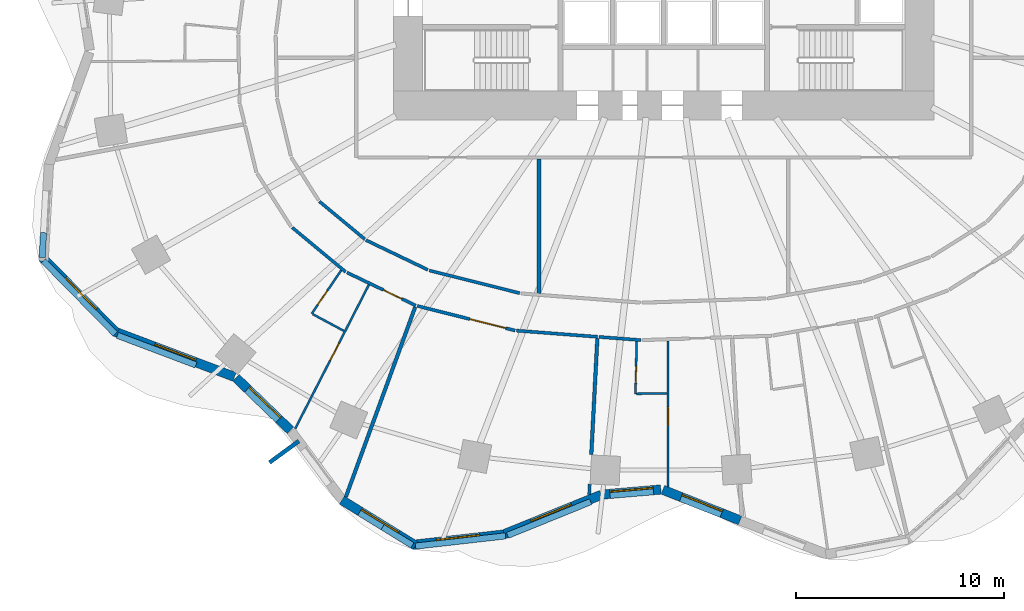
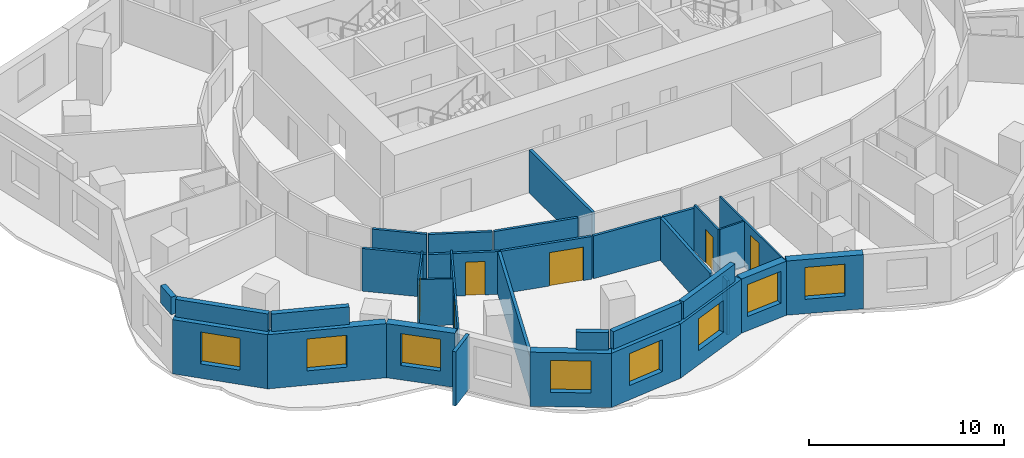
# One storey, part 3 of 11: 33 walls, 8 windows, 6 doors, 14 openings.
"""IFC4 building model written with IfcOpenShell, lengths in metres."""

import ifcopenshell
import ifcopenshell.guid

model = None  # the IFC model being written
_history = None  # IfcOwnerHistory: only IFC2X3 demands one
_inside = {}  # id of a spatial element -> (the spatial element, [elements in it])
_under = {}  # id of a project, library or spatial element -> (it, [spatial elements below it])
_declared = {}  # id of a project -> (the project, [libraries it declares])
_typed = {}  # id of a type object -> (the type object, [elements of that type])
_made_of = {}  # id of a material, layer set ... -> (it, [elements and type objects made of it])


def new_model(schema):
    """Start an empty IFC model of exactly this schema.

    Asked for "IFC4X3", IfcOpenShell would pick the latest addendum, in which some entities
    have other attributes; the version numbers below select the first issue.
    IFC2X3 requires an IfcOwnerHistory on every rooted entity: one is made here for all.
    """
    global model, _history
    if schema == "IFC4X3":
        model = ifcopenshell.file(schema_version=(4, 3, 0, 0))
    else:
        model = ifcopenshell.file(schema=schema)
    _inside.clear()
    _under.clear()
    _declared.clear()
    _typed.clear()
    _made_of.clear()
    _history = None
    if model.schema == "IFC2X3":
        org = make("IfcOrganization", Name="unknown")
        user = make(
            "IfcPersonAndOrganization",
            ThePerson=make("IfcPerson", FamilyName="unknown"),
            TheOrganization=org,
        )
        app = make(
            "IfcApplication",
            ApplicationDeveloper=org,
            Version="unknown",
            ApplicationFullName="unknown",
            ApplicationIdentifier="unknown",
        )
        _history = make(
            "IfcOwnerHistory",
            OwningUser=user,
            OwningApplication=app,
            ChangeAction="ADDED",
            CreationDate=0,
        )
    return model


def make(cls, **values):
    """One entity of the class cls with the attributes given. An attribute that is None is left unset."""
    return model.create_entity(
        cls, **{name: value for name, value in values.items() if value is not None}
    )


def rooted(cls, **values):
    """An entity with a GlobalId (a new one), such as an element, a storey or a relation."""
    return make(cls, GlobalId=ifcopenshell.guid.new(), OwnerHistory=_history, **values)


def si_unit(unit_type, name, prefix=None):
    """IfcSIUnit, for example si_unit("LENGTHUNIT", "METRE", prefix="MILLI")."""
    return make("IfcSIUnit", UnitType=unit_type, Prefix=prefix, Name=name)


def assignment(units):
    """IfcUnitAssignment: the units of a project."""
    return None if units is None else make("IfcUnitAssignment", Units=units)


def point(xyz):
    """IfcCartesianPoint."""
    return None if xyz is None else make("IfcCartesianPoint", Coordinates=xyz)


def direction(xyz):
    """IfcDirection."""
    return None if xyz is None else make("IfcDirection", DirectionRatios=xyz)


def frame(location, z_axis=None, x_axis=None):
    """IfcAxis2Placement3D, a coordinate frame: its origin and axes. An axis left out is left unset."""
    return make(
        "IfcAxis2Placement3D",
        Location=point(location),
        Axis=direction(z_axis),
        RefDirection=direction(x_axis),
    )


def frame_2d(location, x_axis=None):
    """IfcAxis2Placement2D, a coordinate frame in the plane: its origin and x axis."""
    return make(
        "IfcAxis2Placement2D", Location=point(location), RefDirection=direction(x_axis)
    )


def origin():
    """The frame at (0, 0, 0) with its axes left unset."""
    return frame((0.0, 0.0, 0.0))


def place(relative_to, where):
    """IfcLocalPlacement: puts the frame where relative to a parent placement (None: the world)."""
    return make(
        "IfcLocalPlacement", PlacementRelTo=relative_to, RelativePlacement=where
    )


def context(
    kind, dimensions, precision=None, world=None, true_north=None, identifier=None
):
    """IfcGeometricRepresentationContext, for example the 3D "Model" context."""
    return make(
        "IfcGeometricRepresentationContext",
        ContextIdentifier=identifier,
        ContextType=kind,
        CoordinateSpaceDimension=dimensions,
        Precision=precision,
        WorldCoordinateSystem=world,
        TrueNorth=true_north,
    )


def subcontext(parent, identifier, kind, view, scale=None):
    """IfcGeometricRepresentationSubContext, for example "Body" below "Model"."""
    return make(
        "IfcGeometricRepresentationSubContext",
        ContextIdentifier=identifier,
        ContextType=kind,
        ParentContext=parent,
        TargetScale=scale,
        TargetView=view,
    )


def project(units=None, contexts=None):
    """IfcProject with its units and contexts."""
    return rooted(
        "IfcProject",
        Name="project",
        RepresentationContexts=contexts,
        UnitsInContext=assignment(units),
    )


def spatial(cls, under=None, at=None, **own):
    """A site, building, storey or space (cls), placed at a placement, below another one or the project."""
    s = rooted(cls, ObjectPlacement=at, **own)
    if under is not None:
        _under.setdefault(under.id(), (under, []))[1].append(s)
    return s


def profile(cls, at=None, kind="AREA", **sizes):
    """A parametric profile (cls). Its sizes go by their IFC names, for example OverallWidth=200.0."""
    return make(cls, ProfileType=kind, Position=at, **sizes)


def rectangle(**sizes):
    """IfcRectangleProfileDef."""
    return profile("IfcRectangleProfileDef", **sizes)


def extrude(swept, where, along, depth):
    """IfcExtrudedAreaSolid: the profile swept, set in the frame where, extruded along a direction by depth."""
    return make(
        "IfcExtrudedAreaSolid",
        SweptArea=swept,
        Position=where,
        ExtrudedDirection=direction(along),
        Depth=depth,
    )


def shape(context_of_items, identifier, shape_type, items):
    """IfcShapeRepresentation: the items that make up one representation, for example the "Body"."""
    return make(
        "IfcShapeRepresentation",
        ContextOfItems=context_of_items,
        RepresentationIdentifier=identifier,
        RepresentationType=shape_type,
        Items=items,
    )


def material(Name=None, Category=None):
    """IfcMaterial."""
    return make("IfcMaterial", Name=Name, Category=Category)


def layer(
    of_material, thickness, ventilated=None, Name=None, Category=None, Priority=None
):
    """IfcMaterialLayer: one layer of a wall or slab, of a material (None: an air gap)."""
    return make(
        "IfcMaterialLayer",
        Material=of_material,
        LayerThickness=thickness,
        IsVentilated=ventilated,
        Name=Name,
        Category=Category,
        Priority=Priority,
    )


def layer_set(layers, Name=None):
    """IfcMaterialLayerSet."""
    return make("IfcMaterialLayerSet", MaterialLayers=layers, LayerSetName=Name)


def made_of(thing, what):
    """Note that an element or type object is made of a material, layer set ...; save() writes the relation."""
    if what is not None:
        _made_of.setdefault(what.id(), (what, []))[1].append(thing)
    return thing


def type_object(cls, material=None, **own):
    """A type object (cls), such as IfcWallType, which elements share."""
    return made_of(rooted(cls, **own), material)


def element(
    cls,
    number,
    at=None,
    inside=None,
    cuts=None,
    type_object=None,
    material=None,
    context=None,
    identifier="Body",
    shape_type=None,
    held_by="IfcProductDefinitionShape",
    body=None,
    shapes=None,
    **own,
):
    """One element of the class cls, such as IfcWall. Its Tag is "e" and its number.

    at: its placement. inside: the storey or other place that contains it. cuts: it is an
    opening in that element (IfcRelVoidsElement). A single representation is given by context,
    identifier, shape_type and body (its items); several are given by shapes. held_by: the class
    of the entity that holds the representations. save() writes the other relations.
    """
    e = rooted(cls, Tag="e%d" % number, ObjectPlacement=at, **own)
    if body is not None:
        shapes = [shape(context, identifier, shape_type, body)]
    if shapes is not None:
        e.Representation = make(held_by, Representations=shapes)
    if inside is not None:
        _inside.setdefault(inside.id(), (inside, []))[1].append(e)
    if cuts is not None:
        rooted(
            "IfcRelVoidsElement", RelatingBuildingElement=cuts, RelatedOpeningElement=e
        )
    if type_object is not None:
        _typed.setdefault(type_object.id(), (type_object, []))[1].append(e)
    return made_of(e, material)


def fill(opening, filler):
    """IfcRelFillsElement: the door or window that sits in an opening."""
    return rooted(
        "IfcRelFillsElement",
        RelatingOpeningElement=opening,
        RelatedBuildingElement=filler,
    )


def aggregate(whole, parts):
    """IfcRelAggregates: a whole, such as a stair, and the parts it consists of."""
    return rooted("IfcRelAggregates", RelatingObject=whole, RelatedObjects=parts)


def save(model, path):
    """Write the relations noted so far, then the file.

    IfcRelAggregates (storeys below a building ...), IfcRelContainedInSpatialStructure (elements
    in a storey), IfcRelDefinesByType, IfcRelAssociatesMaterial and IfcRelDeclares: one each for
    every whole, place, type object, material and project.
    """
    for whole, parts in _under.values():
        aggregate(whole, parts)
    for where, things in _inside.values():
        rooted(
            "IfcRelContainedInSpatialStructure",
            RelatedElements=things,
            RelatingStructure=where,
        )
    for kind, things in _typed.values():
        rooted("IfcRelDefinesByType", RelatedObjects=things, RelatingType=kind)
    for what, things in _made_of.values():
        rooted("IfcRelAssociatesMaterial", RelatedObjects=things, RelatingMaterial=what)
    for by, libraries in _declared.values():
        rooted("IfcRelDeclares", RelatingContext=by, RelatedDefinitions=libraries)
    model.write(path)


model = new_model("IFC4")

# Units and contexts
model_context = context("Model", 3, precision=1e-05, world=origin(), true_north=direction((0.0, 1.0)))
body_context = subcontext(model_context, "Body", "Model", "MODEL_VIEW")
ifc_project = project(units=[si_unit("LENGTHUNIT", "METRE"), si_unit("AREAUNIT", "SQUARE_METRE"), si_unit("VOLUMEUNIT", "CUBIC_METRE"), si_unit("PLANEANGLEUNIT", "RADIAN"), si_unit("MASSUNIT", "GRAM", prefix="KILO")], contexts=[model_context])

# Site, building, storey
site_placement = place(None, origin())
site = spatial("IfcSite", under=ifc_project, at=site_placement, CompositionType="ELEMENT")
building_placement = place(site_placement, origin())
building = spatial("IfcBuilding", under=site, at=building_placement, Name="Rubra Terraces Tower", CompositionType="ELEMENT")
storey_placement = place(building_placement, frame((0.0, 0.0, 69.89990234375)))
storey = spatial("IfcBuildingStorey", under=building, at=storey_placement, Name="L15", CompositionType="ELEMENT", Elevation=69.89990234375)

# Walls
ifc_material_1 = material(Name="Twin plasterboard on staggered steel stud, acoustic mineral wool", Category="steel")
ifc_layer_1 = layer(ifc_material_1, 0.175048828125)
ifc_layer_set_1 = layer_set([ifc_layer_1], Name="Twin plasterboard on staggered steel stud, acoustic mineral wool")
wall_type_1 = type_object("IfcWallType", Name="ACOUSTIC PARTY WALL 175", PredefinedType="PARTITIONING", material=ifc_layer_set_1)
wall_1_placement = place(storey_placement, frame((-15.298583984375, -21.142822265625, 0.0), z_axis=(0.0, 0.0, 1.0), x_axis=(0.343019355323, 0.9393283355, 0.0)))
element("IfcWall", 1, at=wall_1_placement, inside=storey, type_object=wall_type_1, Name="PARTITION", PredefinedType="PARTITIONING", context=body_context, shape_type="SweptSolid", body=[
    extrude(rectangle(XDim=9.735107421875, YDim=0.175048828125, at=frame_2d((4.86767578125, 0.0))), origin(), (0.0, 0.0, 1.0), 2.68017578125),
])
wall_2_placement = place(storey_placement, frame((-3.486083984375, -19.10302734375, 0.0), z_axis=(0.0, 0.0, 1.0), x_axis=(0.052128748495, 0.998640372497, 0.0)))
element("IfcWall", 2, at=wall_2_placement, inside=storey, type_object=wall_type_1, Name="PARTITION", PredefinedType="PARTITIONING", context=body_context, shape_type="SweptSolid", body=[
    extrude(rectangle(XDim=5.601318359375, YDim=0.175048828125, at=frame_2d((2.80078125, 0.0))), origin(), (0.0, 0.0, 1.0), 2.68017578125),
])
wall_3_placement = place(storey_placement, frame((-6.0, -11.339599609375, 0.0), z_axis=(0.0, 0.0, 1.0), x_axis=(0.0, 1.0, 0.0)))
element("IfcWall", 3, at=wall_3_placement, inside=storey, type_object=wall_type_1, Name="PARTITION", PredefinedType="PARTITIONING", context=body_context, shape_type="SweptSolid", body=[
    extrude(rectangle(XDim=6.464599609375, YDim=0.175048828125, at=frame_2d((3.232421875, 0.0))), origin(), (0.0, 0.0, 1.0), 2.68017578125),
])

# Wall, opening, window
ifc_material_2 = material(Name="Brick masonry red-brown", Category="masonry")
ifc_layer_2 = layer(ifc_material_2, 0.449951171875)
ifc_layer_set_2 = layer_set([ifc_layer_2], Name="Brick masonry red-brown")
wall_type_2 = type_object("IfcWallType", Name="Brick facade wall 450", PredefinedType="SOLIDWALL", material=ifc_layer_set_2)
wall_4_placement = place(storey_placement, frame((-29.909423828125, -9.6123046875, 0.0), z_axis=(0.0, 0.0, 1.0), x_axis=(0.700902433902, -0.713257161303, 0.0)))
wall_4 = element("IfcWall", 4, at=wall_4_placement, inside=storey, type_object=wall_type_2, Name="Facade wall L15 bay 23", PredefinedType="SOLIDWALL", context=body_context, shape_type="SweptSolid", body=[
    extrude(rectangle(XDim=5.07861328125, YDim=0.449951171875, at=frame_2d((2.539306640625, 0.0))), origin(), (0.0, 0.0, 1.0), 3.400146484375),
])
opening_1_placement = place(wall_4_placement, frame((1.4892578125, 0.0, 0.89990234375)))
opening_1 = element("IfcOpeningElement", 5, at=opening_1_placement, cuts=wall_4, Name="Opening W1", PredefinedType="OPENING", context=body_context, shape_type="SweptSolid", body=[
    extrude(rectangle(XDim=2.10009765625, YDim=2.0, at=frame_2d((1.050048828125, 1.0))), frame((0.0, 0.23486328125, 0.0), z_axis=(0.0, -1.0, 0.0), x_axis=(1.0, 0.0, 0.0)), (0.0, 0.0, 1.0), 0.469970703125),
])
ifc_material_3 = material(Name="Clear glass in aluminium frame", Category="aluminium")
window_type = type_object("IfcWindowType", Name="Fixed deep-set window 2100 x 2000", PartitioningType="SINGLE_PANEL", PredefinedType="WINDOW", material=ifc_material_3)
window_1_placement = place(opening_1_placement, origin())
window_1 = element("IfcWindow", 6, at=window_1_placement, inside=storey, type_object=window_type, Name="Window L15 bay 23", OverallHeight=2.0, OverallWidth=2.10009765625, PartitioningType="SINGLE_PANEL", PredefinedType="WINDOW", context=body_context, shape_type="SweptSolid", body=[
    extrude(rectangle(XDim=2.10009765625, YDim=2.0, at=frame_2d((1.050048828125, 1.0))), frame((0.0, 0.135009765625, 0.0), z_axis=(0.0, -1.0, 0.0), x_axis=(1.0, 0.0, 0.0)), (0.0, 0.0, 1.0), 0.06005859375),
])
fill(opening_1, window_1)

wall_5_placement = place(storey_placement, frame((-26.430908203125, -13.181884765625, 0.0), z_axis=(0.0, 0.0, 1.0), x_axis=(0.935540074321, -0.35322056755, 0.0)))
wall_5 = element("IfcWall", 7, at=wall_5_placement, inside=storey, type_object=wall_type_2, Name="Facade wall L15 bay 24", PredefinedType="SOLIDWALL", context=body_context, shape_type="SweptSolid", body=[
    extrude(rectangle(XDim=6.17236328125, YDim=0.449951171875, at=frame_2d((3.086181640625, 0.0))), origin(), (0.0, 0.0, 1.0), 3.400146484375),
])
opening_2_placement = place(wall_5_placement, frame((2.0361328125, 0.0, 0.89990234375)))
opening_2 = element("IfcOpeningElement", 8, at=opening_2_placement, cuts=wall_5, Name="Opening W1", PredefinedType="OPENING", context=body_context, shape_type="SweptSolid", body=[
    extrude(rectangle(XDim=2.10009765625, YDim=2.0, at=frame_2d((1.050048828125, 1.0))), frame((0.0, 0.23486328125, 0.0), z_axis=(0.0, -1.0, 0.0), x_axis=(1.0, 0.0, 0.0)), (0.0, 0.0, 1.0), 0.469970703125),
])
window_2_placement = place(opening_2_placement, origin())
window_2 = element("IfcWindow", 9, at=window_2_placement, inside=storey, type_object=window_type, Name="Window L15 bay 24", OverallHeight=2.0, OverallWidth=2.10009765625, PartitioningType="SINGLE_PANEL", PredefinedType="WINDOW", context=body_context, shape_type="SweptSolid", body=[
    extrude(rectangle(XDim=2.10009765625, YDim=2.0, at=frame_2d((1.050048828125, 1.0))), frame((0.0, 0.135009765625, 0.0), z_axis=(0.0, -1.0, 0.0), x_axis=(1.0, 0.0, 0.0)), (0.0, 0.0, 1.0), 0.06005859375),
])
fill(opening_2, window_2)

wall_6_placement = place(storey_placement, frame((-20.585205078125, -15.40576171875, 0.0), z_axis=(0.0, 0.0, 1.0), x_axis=(0.719978118026, -0.693996764808, 0.0)))
wall_6 = element("IfcWall", 10, at=wall_6_placement, inside=storey, type_object=wall_type_2, Name="Facade wall L15 bay 25", PredefinedType="SOLIDWALL", context=body_context, shape_type="SweptSolid", body=[
    extrude(rectangle(XDim=3.64599609375, YDim=0.449951171875, at=frame_2d((1.822998046875, 0.0))), origin(), (0.0, 0.0, 1.0), 3.400146484375),
])
opening_3_placement = place(wall_6_placement, frame((0.77294921875, 0.0, 0.89990234375)))
opening_3 = element("IfcOpeningElement", 11, at=opening_3_placement, cuts=wall_6, Name="Opening W1", PredefinedType="OPENING", context=body_context, shape_type="SweptSolid", body=[
    extrude(rectangle(XDim=2.10009765625, YDim=2.0, at=frame_2d((1.050048828125, 1.0))), frame((0.0, 0.23486328125, 0.0), z_axis=(0.0, -1.0, 0.0), x_axis=(1.0, 0.0, 0.0)), (0.0, 0.0, 1.0), 0.469970703125),
])
window_3_placement = place(opening_3_placement, origin())
window_3 = element("IfcWindow", 12, at=window_3_placement, inside=storey, type_object=window_type, Name="Window L15 bay 25", OverallHeight=2.0, OverallWidth=2.10009765625, PartitioningType="SINGLE_PANEL", PredefinedType="WINDOW", context=body_context, shape_type="SweptSolid", body=[
    extrude(rectangle(XDim=2.10009765625, YDim=2.0, at=frame_2d((1.050048828125, 1.0))), frame((0.0, 0.135009765625, 0.0), z_axis=(0.0, -1.0, 0.0), x_axis=(1.0, 0.0, 0.0)), (0.0, 0.0, 1.0), 0.06005859375),
])
fill(opening_3, window_3)

wall_7_placement = place(storey_placement, frame((-15.491943359375, -21.29345703125, 0.0), z_axis=(0.0, 0.0, 1.0), x_axis=(0.851428967753, -0.524469935145, 0.0)))
wall_7 = element("IfcWall", 13, at=wall_7_placement, inside=storey, type_object=wall_type_2, Name="Facade wall L15 bay 27", PredefinedType="SOLIDWALL", context=body_context, shape_type="SweptSolid", body=[
    extrude(rectangle(XDim=4.16796875, YDim=0.449951171875, at=frame_2d((2.083984375, 0.0))), origin(), (0.0, 0.0, 1.0), 3.400146484375),
])
opening_4_placement = place(wall_7_placement, frame((1.0341796875, 0.0, 0.89990234375)))
opening_4 = element("IfcOpeningElement", 14, at=opening_4_placement, cuts=wall_7, Name="Opening W1", PredefinedType="OPENING", context=body_context, shape_type="SweptSolid", body=[
    extrude(rectangle(XDim=2.10009765625, YDim=2.0, at=frame_2d((1.050048828125, 1.0))), frame((0.0, 0.23486328125, 0.0), z_axis=(0.0, -1.0, 0.0), x_axis=(1.0, 0.0, 0.0)), (0.0, 0.0, 1.0), 0.469970703125),
])
window_4_placement = place(opening_4_placement, origin())
window_4 = element("IfcWindow", 15, at=window_4_placement, inside=storey, type_object=window_type, Name="Window L15 bay 27", OverallHeight=2.0, OverallWidth=2.10009765625, PartitioningType="SINGLE_PANEL", PredefinedType="WINDOW", context=body_context, shape_type="SweptSolid", body=[
    extrude(rectangle(XDim=2.10009765625, YDim=2.0, at=frame_2d((1.050048828125, 1.0))), frame((0.0, 0.135009765625, 0.0), z_axis=(0.0, -1.0, 0.0), x_axis=(1.0, 0.0, 0.0)), (0.0, 0.0, 1.0), 0.06005859375),
])
fill(opening_4, window_4)

wall_8_placement = place(storey_placement, frame((-12.08642578125, -23.447509765625, 0.0), z_axis=(0.0, 0.0, 1.0), x_axis=(0.993615664665, 0.112818043472, 0.0)))
wall_8 = element("IfcWall", 16, at=wall_8_placement, inside=storey, type_object=wall_type_2, Name="Facade wall L15 bay 28", PredefinedType="SOLIDWALL", context=body_context, shape_type="SweptSolid", body=[
    extrude(rectangle(XDim=4.42333984375, YDim=0.449951171875, at=frame_2d((2.211669921875, 0.0))), origin(), (0.0, 0.0, 1.0), 3.400146484375),
])
opening_5_placement = place(wall_8_placement, frame((1.16162109375, 0.0, 0.89990234375)))
opening_5 = element("IfcOpeningElement", 17, at=opening_5_placement, cuts=wall_8, Name="Opening W1", PredefinedType="OPENING", context=body_context, shape_type="SweptSolid", body=[
    extrude(rectangle(XDim=2.10009765625, YDim=2.0, at=frame_2d((1.050048828125, 1.0))), frame((0.0, 0.23486328125, 0.0), z_axis=(0.0, -1.0, 0.0), x_axis=(1.0, 0.0, 0.0)), (0.0, 0.0, 1.0), 0.469970703125),
])
window_5_placement = place(opening_5_placement, origin())
window_5 = element("IfcWindow", 18, at=window_5_placement, inside=storey, type_object=window_type, Name="Window L15 bay 28", OverallHeight=2.0, OverallWidth=2.10009765625, PartitioningType="SINGLE_PANEL", PredefinedType="WINDOW", context=body_context, shape_type="SweptSolid", body=[
    extrude(rectangle(XDim=2.10009765625, YDim=2.0, at=frame_2d((1.050048828125, 1.0))), frame((0.0, 0.135009765625, 0.0), z_axis=(0.0, -1.0, 0.0), x_axis=(1.0, 0.0, 0.0)), (0.0, 0.0, 1.0), 0.06005859375),
])
fill(opening_5, window_5)

wall_9_placement = place(storey_placement, frame((-7.75048828125, -22.963623046875, 0.0), z_axis=(0.0, 0.0, 1.0), x_axis=(0.926629703254, 0.375975255897, 0.0)))
wall_9 = element("IfcWall", 19, at=wall_9_placement, inside=storey, type_object=wall_type_2, Name="Facade wall L15 bay 29", PredefinedType="SOLIDWALL", context=body_context, shape_type="SweptSolid", body=[
    extrude(rectangle(XDim=5.1181640625, YDim=0.449951171875, at=frame_2d((2.55908203125, 0.0))), origin(), (0.0, 0.0, 1.0), 3.400146484375),
])
opening_6_placement = place(wall_9_placement, frame((1.50927734375, 0.0, 0.89990234375)))
opening_6 = element("IfcOpeningElement", 20, at=opening_6_placement, cuts=wall_9, Name="Opening W1", PredefinedType="OPENING", context=body_context, shape_type="SweptSolid", body=[
    extrude(rectangle(XDim=2.10009765625, YDim=2.0, at=frame_2d((1.050048828125, 1.0))), frame((0.0, 0.23486328125, 0.0), z_axis=(0.0, -1.0, 0.0), x_axis=(1.0, 0.0, 0.0)), (0.0, 0.0, 1.0), 0.469970703125),
])
window_6_placement = place(opening_6_placement, origin())
window_6 = element("IfcWindow", 21, at=window_6_placement, inside=storey, type_object=window_type, Name="Window L15 bay 29", OverallHeight=2.0, OverallWidth=2.10009765625, PartitioningType="SINGLE_PANEL", PredefinedType="WINDOW", context=body_context, shape_type="SweptSolid", body=[
    extrude(rectangle(XDim=2.10009765625, YDim=2.0, at=frame_2d((1.050048828125, 1.0))), frame((0.0, 0.135009765625, 0.0), z_axis=(0.0, -1.0, 0.0), x_axis=(1.0, 0.0, 0.0)), (0.0, 0.0, 1.0), 0.06005859375),
])
fill(opening_6, window_6)

wall_10_placement = place(storey_placement, frame((-2.942138671875, -21.023681640625, 0.0), z_axis=(0.0, 0.0, 1.0), x_axis=(0.996362034459, 0.085221454389, 0.0)))
wall_10 = element("IfcWall", 22, at=wall_10_placement, inside=storey, type_object=wall_type_2, Name="Facade wall L15 bay 30", PredefinedType="SOLIDWALL", context=body_context, shape_type="SweptSolid", body=[
    extrude(rectangle(XDim=2.813232421875, YDim=0.449951171875, at=frame_2d((1.40673828125, 0.0))), origin(), (0.0, 0.0, 1.0), 3.400146484375),
])
opening_7_placement = place(wall_10_placement, frame((0.356689453125, 0.0, 0.89990234375)))
opening_7 = element("IfcOpeningElement", 23, at=opening_7_placement, cuts=wall_10, Name="Opening W1", PredefinedType="OPENING", context=body_context, shape_type="SweptSolid", body=[
    extrude(rectangle(XDim=2.10009765625, YDim=2.0, at=frame_2d((1.050048828125, 1.0))), frame((0.0, 0.23486328125, 0.0), z_axis=(0.0, -1.0, 0.0), x_axis=(1.0, 0.0, 0.0)), (0.0, 0.0, 1.0), 0.469970703125),
])
window_7_placement = place(opening_7_placement, origin())
window_7 = element("IfcWindow", 24, at=window_7_placement, inside=storey, type_object=window_type, Name="Window L15 bay 30", OverallHeight=2.0, OverallWidth=2.10009765625, PartitioningType="SINGLE_PANEL", PredefinedType="WINDOW", context=body_context, shape_type="SweptSolid", body=[
    extrude(rectangle(XDim=2.10009765625, YDim=2.0, at=frame_2d((1.050048828125, 1.0))), frame((0.0, 0.135009765625, 0.0), z_axis=(0.0, -1.0, 0.0), x_axis=(1.0, 0.0, 0.0)), (0.0, 0.0, 1.0), 0.06005859375),
])
fill(opening_7, window_7)

wall_11_placement = place(storey_placement, frame((-0.04052734375, -20.797607421875, 0.0), z_axis=(0.0, 0.0, 1.0), x_axis=(0.929539262027, -0.368723148649, 0.0)))
wall_11 = element("IfcWall", 25, at=wall_11_placement, inside=storey, type_object=wall_type_2, Name="Facade wall L15 bay 31", PredefinedType="SOLIDWALL", context=body_context, shape_type="SweptSolid", body=[
    extrude(rectangle(XDim=3.99462890625, YDim=0.449951171875, at=frame_2d((1.997314453125, 0.0))), origin(), (0.0, 0.0, 1.0), 3.400146484375),
])
opening_8_placement = place(wall_11_placement, frame((0.947265625, 0.0, 0.89990234375)))
opening_8 = element("IfcOpeningElement", 26, at=opening_8_placement, cuts=wall_11, Name="Opening W1", PredefinedType="OPENING", context=body_context, shape_type="SweptSolid", body=[
    extrude(rectangle(XDim=2.10009765625, YDim=2.0, at=frame_2d((1.050048828125, 1.0))), frame((0.0, 0.23486328125, 0.0), z_axis=(0.0, -1.0, 0.0), x_axis=(1.0, 0.0, 0.0)), (0.0, 0.0, 1.0), 0.469970703125),
])
window_8_placement = place(opening_8_placement, origin())
window_8 = element("IfcWindow", 27, at=window_8_placement, inside=storey, type_object=window_type, Name="Window L15 bay 31", OverallHeight=2.0, OverallWidth=2.10009765625, PartitioningType="SINGLE_PANEL", PredefinedType="WINDOW", context=body_context, shape_type="SweptSolid", body=[
    extrude(rectangle(XDim=2.10009765625, YDim=2.0, at=frame_2d((1.050048828125, 1.0))), frame((0.0, 0.135009765625, 0.0), z_axis=(0.0, -1.0, 0.0), x_axis=(1.0, 0.0, 0.0)), (0.0, 0.0, 1.0), 0.06005859375),
])
fill(opening_8, window_8)

# Walls
ifc_layer_3 = layer(ifc_material_2, 0.300048828125)
ifc_layer_set_3 = layer_set([ifc_layer_3], Name="Brick masonry red-brown")
wall_type_3 = type_object("IfcWallType", Name="Brick parapet 300", PredefinedType="PARAPET", material=ifc_layer_set_3)
wall_12_placement = place(storey_placement, frame((-29.845947265625, -8.422119140625, 3.60009765625), z_axis=(0.0, 0.0, 1.0), x_axis=(-0.054723601839, -0.998501541011, 0.0)))
element("IfcWall", 28, at=wall_12_placement, inside=storey, type_object=wall_type_3, Name="Parapet L15 bay 22", PredefinedType="PARAPET", context=body_context, shape_type="SweptSolid", body=[
    extrude(rectangle(XDim=1.195556640625, YDim=0.300048828125, at=frame_2d((0.59765625, 0.0))), origin(), (0.0, 0.0, 1.0), 1.10009765625),
])
wall_13_placement = place(storey_placement, frame((-29.84912109375, -9.78076171875, 3.60009765625), z_axis=(0.0, 0.0, 1.0), x_axis=(0.700911537772, -0.713248215012, 0.0)))
element("IfcWall", 29, at=wall_13_placement, inside=storey, type_object=wall_type_3, Name="Parapet L15 bay 23", PredefinedType="PARAPET", context=body_context, shape_type="SweptSolid", body=[
    extrude(rectangle(XDim=4.927734375, YDim=0.300048828125, at=frame_2d((2.4638671875, 0.0))), origin(), (0.0, 0.0, 1.0), 1.10009765625),
])
wall_14_placement = place(storey_placement, frame((-26.292236328125, -13.362548828125, 3.60009765625), z_axis=(0.0, 0.0, 1.0), x_axis=(0.93551777481, -0.353279624397, 0.0)))
element("IfcWall", 30, at=wall_14_placement, inside=storey, type_object=wall_type_3, Name="Parapet L15 bay 24", PredefinedType="PARAPET", context=body_context, shape_type="SweptSolid", body=[
    extrude(rectangle(XDim=4.04345703125, YDim=0.300048828125, at=frame_2d((2.021728515625, 0.0))), origin(), (0.0, 0.0, 1.0), 1.10009765625),
])
wall_15_placement = place(storey_placement, frame((-13.52978515625, -22.590087890625, 3.60009765625), z_axis=(0.0, 0.0, 1.0), x_axis=(0.851434206084, -0.524461431098, 0.0)))
element("IfcWall", 31, at=wall_15_placement, inside=storey, type_object=wall_type_3, Name="Parapet L15 bay 27", PredefinedType="PARAPET", context=body_context, shape_type="SweptSolid", body=[
    extrude(rectangle(XDim=1.683837890625, YDim=0.300048828125, at=frame_2d((0.841796875, 0.0))), origin(), (0.0, 0.0, 1.0), 1.10009765625),
])
wall_16_placement = place(storey_placement, frame((-11.9453125, -23.5068359375, 3.60009765625), z_axis=(0.0, 0.0, 1.0), x_axis=(0.993618806168, 0.11279037206, 0.0)))
element("IfcWall", 32, at=wall_16_placement, inside=storey, type_object=wall_type_3, Name="Parapet L15 bay 28", PredefinedType="PARAPET", context=body_context, shape_type="SweptSolid", body=[
    extrude(rectangle(XDim=4.361572265625, YDim=0.300048828125, at=frame_2d((2.1806640625, 0.0))), origin(), (0.0, 0.0, 1.0), 1.10009765625),
])
wall_17_placement = place(storey_placement, frame((-7.514404296875, -22.990234375, 3.60009765625), z_axis=(0.0, 0.0, 1.0), x_axis=(0.926627413994, 0.375980897966, 0.0)))
element("IfcWall", 33, at=wall_17_placement, inside=storey, type_object=wall_type_3, Name="Parapet L15 bay 29", PredefinedType="PARAPET", context=body_context, shape_type="SweptSolid", body=[
    extrude(rectangle(XDim=4.31494140625, YDim=0.300048828125, at=frame_2d((2.157470703125, 0.0))), origin(), (0.0, 0.0, 1.0), 1.10009765625),
])
ifc_layer_4 = layer(ifc_material_2, 0.199951171875)
ifc_layer_set_4 = layer_set([ifc_layer_4], Name="Brick masonry red-brown")
wall_type_4 = type_object("IfcWallType", Name="Brick wind fin 200", PredefinedType="SOLIDWALL", material=ifc_layer_set_4)
wall_18_placement = place(storey_placement, frame((-17.56005859375, -18.449951171875, 0.0), z_axis=(0.0, 0.0, 1.0), x_axis=(-0.807091943364, -0.590425774299, 0.0)))
element("IfcWall", 34, at=wall_18_placement, inside=storey, type_object=wall_type_4, Name="Wind fin L15 16", PredefinedType="SOLIDWALL", context=body_context, shape_type="SweptSolid", body=[
    extrude(rectangle(XDim=1.75, YDim=0.199951171875, at=frame_2d((0.875, 0.0))), origin(), (0.0, 0.0, 1.0), 3.400146484375),
])
ifc_material_4 = material(Name="Plasterboard on steel stud, mineral wool infill", Category="steel")
ifc_layer_5 = layer(ifc_material_4, 0.14990234375)
ifc_layer_set_5 = layer_set([ifc_layer_5], Name="Plasterboard on steel stud, mineral wool infill")
wall_type_5 = type_object("IfcWallType", Name="CORRIDOR PARTITION 150", PredefinedType="PARTITIONING", material=ifc_layer_set_5)
wall_19_placement = place(storey_placement, frame((-17.88037109375, -8.17431640625, 0.0), z_axis=(0.0, 0.0, 1.0), x_axis=(0.769369909016, -0.638803524646, 0.0)))
element("IfcWall", 35, at=wall_19_placement, inside=storey, type_object=wall_type_5, Name="PARTITION", PredefinedType="PARTITIONING", context=body_context, shape_type="SweptSolid", body=[
    extrude(rectangle(XDim=3.341552734375, YDim=0.14990234375, at=frame_2d((1.6708984375, 0.0))), origin(), (0.0, 0.0, 1.0), 2.68017578125),
])

# Wall, opening, door
wall_20_placement = place(storey_placement, frame((-15.241943359375, -10.34130859375, 0.0), z_axis=(0.0, 0.0, 1.0), x_axis=(0.901691201137, -0.432380593682, 0.0)))
wall_20 = element("IfcWall", 36, at=wall_20_placement, inside=storey, type_object=wall_type_5, Name="PARTITION", PredefinedType="PARTITIONING", context=body_context, shape_type="SweptSolid", body=[
    extrude(rectangle(XDim=3.6689453125, YDim=0.14990234375, at=frame_2d((1.83447265625, 0.0))), origin(), (0.0, 0.0, 1.0), 2.68017578125),
])
opening_9_placement = place(wall_20_placement, frame((1.93701171875, 0.0, 0.0)))
opening_9 = element("IfcOpeningElement", 37, at=opening_9_placement, cuts=wall_20, Name="Opening 15-113", PredefinedType="OPENING", context=body_context, shape_type="SweptSolid", body=[
    extrude(rectangle(XDim=1.0, YDim=2.10009765625, at=frame_2d((0.5, 1.050048828125))), frame((0.0, 0.0849609375, 0.0), z_axis=(0.0, -1.0, 0.0), x_axis=(1.0, 0.0, 0.0)), (0.0, 0.0, 1.0), 0.169921875),
])
ifc_material_5 = material(Name="Painted timber door leaf", Category="wood")
door_type_1 = type_object("IfcDoorType", Name="ROOM DOOR 1000 X 2100", OperationType="SINGLE_SWING_LEFT", PredefinedType="DOOR", material=ifc_material_5)
door_1_placement = place(opening_9_placement, origin())
door_1 = element("IfcDoor", 38, at=door_1_placement, inside=storey, type_object=door_type_1, Name="DOOR 15-113", OperationType="SINGLE_SWING_RIGHT", OverallHeight=2.10009765625, OverallWidth=1.0, PredefinedType="DOOR", context=body_context, shape_type="SweptSolid", body=[
    extrude(rectangle(XDim=1.0, YDim=2.10009765625, at=frame_2d((0.5, 1.050048828125))), frame((0.0, 0.02490234375, 0.0), z_axis=(0.0, -1.0, 0.0), x_axis=(1.0, 0.0, 0.0)), (0.0, 0.0, 1.0), 0.050048828125),
])
fill(opening_9, door_1)

wall_21_placement = place(storey_placement, frame((-11.86083984375, -11.946044921875, 0.0), z_axis=(0.0, 0.0, 1.0), x_axis=(0.969688037021, -0.244346292909, 0.0)))
wall_21 = element("IfcWall", 39, at=wall_21_placement, inside=storey, type_object=wall_type_5, Name="PARTITION", PredefinedType="PARTITIONING", context=body_context, shape_type="SweptSolid", body=[
    extrude(rectangle(XDim=4.85302734375, YDim=0.14990234375, at=frame_2d((2.426513671875, 0.0))), origin(), (0.0, 0.0, 1.0), 2.68017578125),
])
opening_10_placement = place(wall_21_placement, frame((2.60009765625, 0.0, 0.0)))
opening_10 = element("IfcOpeningElement", 40, at=opening_10_placement, cuts=wall_21, Name="Opening 15-114", PredefinedType="OPENING", context=body_context, shape_type="SweptSolid", body=[
    extrude(rectangle(XDim=1.800048828125, YDim=2.10009765625, at=frame_2d((0.89990234375, 1.050048828125))), frame((0.0, 0.0849609375, 0.0), z_axis=(0.0, -1.0, 0.0), x_axis=(1.0, 0.0, 0.0)), (0.0, 0.0, 1.0), 0.169921875),
])
ifc_material_6 = material(Name="Painted timber door leaf, double", Category="wood")
door_type_2 = type_object("IfcDoorType", Name="ROOM DOUBLE DOOR 1800 X 2100", OperationType="DOUBLE_DOOR_SINGLE_SWING", PredefinedType="DOOR", material=ifc_material_6)
door_2_placement = place(opening_10_placement, origin())
door_2 = element("IfcDoor", 41, at=door_2_placement, inside=storey, type_object=door_type_2, Name="DOOR 15-114", OperationType="DOUBLE_DOOR_SINGLE_SWING", OverallHeight=2.10009765625, OverallWidth=1.800048828125, PredefinedType="DOOR", context=body_context, shape_type="SweptSolid", body=[
    extrude(rectangle(XDim=1.800048828125, YDim=2.10009765625, at=frame_2d((0.89990234375, 1.050048828125))), frame((0.0, 0.02490234375, 0.0), z_axis=(0.0, -1.0, 0.0), x_axis=(1.0, 0.0, 0.0)), (0.0, 0.0, 1.0), 0.050048828125),
])
fill(opening_10, door_2)

# Walls
wall_22_placement = place(storey_placement, frame((-7.080078125, -13.137451171875, 0.0), z_axis=(0.0, 0.0, 1.0), x_axis=(0.997100321366, -0.076098285996, 0.0)))
element("IfcWall", 42, at=wall_22_placement, inside=storey, type_object=wall_type_5, Name="PARTITION", PredefinedType="PARTITIONING", context=body_context, shape_type="SweptSolid", body=[
    extrude(rectangle(XDim=3.901123046875, YDim=0.14990234375, at=frame_2d((1.95068359375, 0.0))), origin(), (0.0, 0.0, 1.0), 2.68017578125),
])
wall_23_placement = place(storey_placement, frame((-3.115478515625, -13.43994140625, 0.0), z_axis=(0.0, 0.0, 1.0), x_axis=(0.997100272702, -0.076098923634, 0.0)))
element("IfcWall", 43, at=wall_23_placement, inside=storey, type_object=wall_type_5, Name="PARTITION", PredefinedType="PARTITIONING", context=body_context, shape_type="SweptSolid", body=[
    extrude(rectangle(XDim=2.03076171875, YDim=0.14990234375, at=frame_2d((1.015380859375, 0.0))), origin(), (0.0, 0.0, 1.0), 2.68017578125),
])
wall_24_placement = place(storey_placement, frame((-6.938720703125, -11.330322265625, 0.0), z_axis=(0.0, 0.0, 1.0), x_axis=(-0.970087973264, 0.242753628458, 0.0)))
element("IfcWall", 44, at=wall_24_placement, inside=storey, type_object=wall_type_5, Name="PARTITION", PredefinedType="PARTITIONING", context=body_context, shape_type="SweptSolid", body=[
    extrude(rectangle(XDim=4.4794921875, YDim=0.14990234375, at=frame_2d((2.23974609375, 0.0))), origin(), (0.0, 0.0, 1.0), 2.68017578125),
])
wall_25_placement = place(storey_placement, frame((-11.351806640625, -10.210693359375, 0.0), z_axis=(0.0, 0.0, 1.0), x_axis=(-0.901665993511, 0.432433158009, 0.0)))
element("IfcWall", 45, at=wall_25_placement, inside=storey, type_object=wall_type_5, Name="PARTITION", PredefinedType="PARTITIONING", context=body_context, shape_type="SweptSolid", body=[
    extrude(rectangle(XDim=3.303955078125, YDim=0.14990234375, at=frame_2d((1.65185546875, 0.0))), origin(), (0.0, 0.0, 1.0), 2.68017578125),
])
wall_26_placement = place(storey_placement, frame((-14.388427734375, -8.73388671875, 0.0), z_axis=(0.0, 0.0, 1.0), x_axis=(-0.769376381092, 0.63879572965, 0.0)))
element("IfcWall", 46, at=wall_26_placement, inside=storey, type_object=wall_type_5, Name="PARTITION", PredefinedType="PARTITIONING", context=body_context, shape_type="SweptSolid", body=[
    extrude(rectangle(XDim=2.838134765625, YDim=0.14990234375, at=frame_2d((1.4189453125, 0.0))), origin(), (0.0, 0.0, 1.0), 2.68017578125),
])

# Wall, opening, door
ifc_material_7 = material(Name="Plasterboard on steel stud", Category="steel")
ifc_layer_6 = layer(ifc_material_7, 0.10009765625)
ifc_layer_set_6 = layer_set([ifc_layer_6], Name="Plasterboard on steel stud")
wall_type_6 = type_object("IfcWallType", Name="ROOM PARTITION 100", PredefinedType="PARTITIONING", material=ifc_layer_set_6)
wall_27_placement = place(storey_placement, frame((-17.73583984375, -17.85400390625, 0.0), z_axis=(0.0, 0.0, 1.0), x_axis=(0.455828577063, 0.890067586385, 0.0)))
wall_27 = element("IfcWall", 47, at=wall_27_placement, inside=storey, type_object=wall_type_6, Name="PARTITION", PredefinedType="PARTITIONING", context=body_context, shape_type="SweptSolid", body=[
    extrude(rectangle(XDim=7.780029296875, YDim=0.10009765625, at=frame_2d((3.89013671875, 0.0))), origin(), (0.0, 0.0, 1.0), 2.898193359375),
])
opening_11_placement = place(wall_27_placement, frame((3.705078125, 0.0, 0.0)))
opening_11 = element("IfcOpeningElement", 48, at=opening_11_placement, cuts=wall_27, Name="Opening 15-112", PredefinedType="OPENING", context=body_context, shape_type="SweptSolid", body=[
    extrude(rectangle(XDim=0.89990234375, YDim=2.39990234375, at=frame_2d((0.449951171875, 1.199951171875))), frame((0.0, 0.06005859375, 0.0), z_axis=(0.0, -1.0, 0.0), x_axis=(1.0, 0.0, 0.0)), (0.0, 0.0, 1.0), 0.1201171875),
])
ifc_material_8 = material(Name="Veneered timber door leaf, fire-rated", Category="wood")
door_type_3 = type_object("IfcDoorType", Name="SUITE ENTRANCE DOOR 900 X 2400", OperationType="SINGLE_SWING_LEFT", PredefinedType="DOOR", material=ifc_material_8)
door_3_placement = place(opening_11_placement, origin())
door_3 = element("IfcDoor", 49, at=door_3_placement, inside=storey, type_object=door_type_3, Name="DOOR 15-112", OperationType="SINGLE_SWING_LEFT", OverallHeight=2.39990234375, OverallWidth=0.89990234375, PredefinedType="DOOR", context=body_context, shape_type="SweptSolid", body=[
    extrude(rectangle(XDim=0.89990234375, YDim=2.39990234375, at=frame_2d((0.449951171875, 1.199951171875))), frame((0.0, 0.02490234375, 0.0), z_axis=(0.0, -1.0, 0.0), x_axis=(1.0, 0.0, 0.0)), (0.0, 0.0, 1.0), 0.050048828125),
])
fill(opening_11, door_3)

wall_28_placement = place(storey_placement, frame((-15.520751953125, -10.23046875, 0.0), z_axis=(0.0, 0.0, 1.0), x_axis=(-0.561553433558, -0.827440475962, 0.0)))
wall_28 = element("IfcWall", 50, at=wall_28_placement, inside=storey, type_object=wall_type_6, Name="PARTITION", PredefinedType="PARTITIONING", context=body_context, shape_type="SweptSolid", body=[
    extrude(rectangle(XDim=2.525146484375, YDim=0.10009765625, at=frame_2d((1.2626953125, 0.0))), origin(), (0.0, 0.0, 1.0), 2.898193359375),
])
opening_12_placement = place(wall_28_placement, frame((1.199951171875, 0.0, 0.0)))
opening_12 = element("IfcOpeningElement", 51, at=opening_12_placement, cuts=wall_28, Name="Opening 15-111", PredefinedType="OPENING", context=body_context, shape_type="SweptSolid", body=[
    extrude(rectangle(XDim=0.800048828125, YDim=2.10009765625, at=frame_2d((0.39990234375, 1.050048828125))), frame((0.0, 0.06005859375, 0.0), z_axis=(0.0, -1.0, 0.0), x_axis=(1.0, 0.0, 0.0)), (0.0, 0.0, 1.0), 0.1201171875),
])
door_type_4 = type_object("IfcDoorType", Name="BATHROOM DOOR 800 X 2100", OperationType="SINGLE_SWING_LEFT", PredefinedType="DOOR", material=ifc_material_5)
door_4_placement = place(opening_12_placement, origin())
door_4 = element("IfcDoor", 52, at=door_4_placement, inside=storey, type_object=door_type_4, Name="DOOR 15-111", OperationType="SINGLE_SWING_LEFT", OverallHeight=2.10009765625, OverallWidth=0.800048828125, PredefinedType="DOOR", context=body_context, shape_type="SweptSolid", body=[
    extrude(rectangle(XDim=0.800048828125, YDim=2.10009765625, at=frame_2d((0.39990234375, 1.050048828125))), frame((0.0, 0.02490234375, 0.0), z_axis=(0.0, -1.0, 0.0), x_axis=(1.0, 0.0, 0.0)), (0.0, 0.0, 1.0), 0.050048828125),
])
fill(opening_12, door_4)

# Wall
wall_29_placement = place(storey_placement, frame((-16.89453125, -12.343505859375, 0.0), z_axis=(0.0, 0.0, 1.0), x_axis=(0.881325283606, -0.472510046958, 0.0)))
element("IfcWall", 53, at=wall_29_placement, inside=storey, type_object=wall_type_6, Name="PARTITION", PredefinedType="PARTITIONING", context=body_context, shape_type="SweptSolid", body=[
    extrude(rectangle(XDim=1.71337890625, YDim=0.10009765625, at=frame_2d((0.856689453125, 0.0))), origin(), (0.0, 0.0, 1.0), 2.898193359375),
])

# Wall, opening, door
wall_30_placement = place(storey_placement, frame((0.212890625, -20.656005859375, 0.0), z_axis=(0.0, 0.0, 1.0), x_axis=(-0.002222679791, 0.999997529844, 0.0)))
wall_30 = element("IfcWall", 54, at=wall_30_placement, inside=storey, type_object=wall_type_6, Name="PARTITION", PredefinedType="PARTITIONING", context=body_context, shape_type="SweptSolid", body=[
    extrude(rectangle(XDim=7.02978515625, YDim=0.10009765625, at=frame_2d((3.514892578125, 0.0))), origin(), (0.0, 0.0, 1.0), 2.898193359375),
])
opening_13_placement = place(wall_30_placement, frame((2.955078125, 0.0, 0.0)))
opening_13 = element("IfcOpeningElement", 55, at=opening_13_placement, cuts=wall_30, Name="Opening 15-116", PredefinedType="OPENING", context=body_context, shape_type="SweptSolid", body=[
    extrude(rectangle(XDim=0.89990234375, YDim=2.39990234375, at=frame_2d((0.449951171875, 1.199951171875))), frame((0.0, 0.06005859375, 0.0), z_axis=(0.0, -1.0, 0.0), x_axis=(1.0, 0.0, 0.0)), (0.0, 0.0, 1.0), 0.1201171875),
])
door_5_placement = place(opening_13_placement, origin())
door_5 = element("IfcDoor", 56, at=door_5_placement, inside=storey, type_object=door_type_3, Name="DOOR 15-116", OperationType="SINGLE_SWING_LEFT", OverallHeight=2.39990234375, OverallWidth=0.89990234375, PredefinedType="DOOR", context=body_context, shape_type="SweptSolid", body=[
    extrude(rectangle(XDim=0.89990234375, YDim=2.39990234375, at=frame_2d((0.449951171875, 1.199951171875))), frame((0.0, 0.02490234375, 0.0), z_axis=(0.0, -1.0, 0.0), x_axis=(1.0, 0.0, 0.0)), (0.0, 0.0, 1.0), 0.050048828125),
])
fill(opening_13, door_5)

wall_31_placement = place(storey_placement, frame((-1.30322265625, -13.6533203125, 0.0), z_axis=(0.0, 0.0, 1.0), x_axis=(-0.021755004804, -0.999763331877, 0.0)))
wall_31 = element("IfcWall", 57, at=wall_31_placement, inside=storey, type_object=wall_type_6, Name="PARTITION", PredefinedType="PARTITIONING", context=body_context, shape_type="SweptSolid", body=[
    extrude(rectangle(XDim=2.52490234375, YDim=0.10009765625, at=frame_2d((1.262451171875, 0.0))), origin(), (0.0, 0.0, 1.0), 2.898193359375),
])
opening_14_placement = place(wall_31_placement, frame((1.199951171875, 0.0, 0.0)))
opening_14 = element("IfcOpeningElement", 58, at=opening_14_placement, cuts=wall_31, Name="Opening 15-115", PredefinedType="OPENING", context=body_context, shape_type="SweptSolid", body=[
    extrude(rectangle(XDim=0.800048828125, YDim=2.10009765625, at=frame_2d((0.39990234375, 1.050048828125))), frame((0.0, 0.06005859375, 0.0), z_axis=(0.0, -1.0, 0.0), x_axis=(1.0, 0.0, 0.0)), (0.0, 0.0, 1.0), 0.1201171875),
])
door_6_placement = place(opening_14_placement, origin())
door_6 = element("IfcDoor", 59, at=door_6_placement, inside=storey, type_object=door_type_4, Name="DOOR 15-115", OperationType="SINGLE_SWING_LEFT", OverallHeight=2.10009765625, OverallWidth=0.800048828125, PredefinedType="DOOR", context=body_context, shape_type="SweptSolid", body=[
    extrude(rectangle(XDim=0.800048828125, YDim=2.10009765625, at=frame_2d((0.39990234375, 1.050048828125))), frame((0.0, 0.02490234375, 0.0), z_axis=(0.0, -1.0, 0.0), x_axis=(1.0, 0.0, 0.0)), (0.0, 0.0, 1.0), 0.050048828125),
])
fill(opening_14, door_6)

# Walls
wall_32_placement = place(storey_placement, frame((-1.30810546875, -16.177001953125, 0.0), z_axis=(0.0, 0.0, 1.0), x_axis=(0.999854757889, 0.017042978828, 0.0)))
element("IfcWall", 60, at=wall_32_placement, inside=storey, type_object=wall_type_6, Name="PARTITION", PredefinedType="PARTITIONING", context=body_context, shape_type="SweptSolid", body=[
    extrude(rectangle(XDim=1.461181640625, YDim=0.10009765625, at=frame_2d((0.73046875, 0.0))), origin(), (0.0, 0.0, 1.0), 2.898193359375),
])
ifc_layer_7 = layer(ifc_material_7, 0.14990234375)
ifc_layer_set_7 = layer_set([ifc_layer_7], Name="Plasterboard on steel stud")
wall_type_7 = type_object("IfcWallType", Name="ROOM PARTITION 150", PredefinedType="PARTITIONING", material=ifc_layer_set_7)
wall_33_placement = place(storey_placement, frame((-3.58642578125, -21.027099609375, 0.0), z_axis=(0.0, 0.0, 1.0), x_axis=(0.052094522049, 0.99864215852, 0.0)))
element("IfcWall", 61, at=wall_33_placement, inside=storey, type_object=wall_type_7, Name="PARTITION", PredefinedType="PARTITIONING", context=body_context, shape_type="SweptSolid", body=[
    extrude(rectangle(XDim=0.496826171875, YDim=0.14990234375, at=frame_2d((0.24853515625, 0.0))), origin(), (0.0, 0.0, 1.0), 3.400146484375),
])

save(model, "model.ifc")
